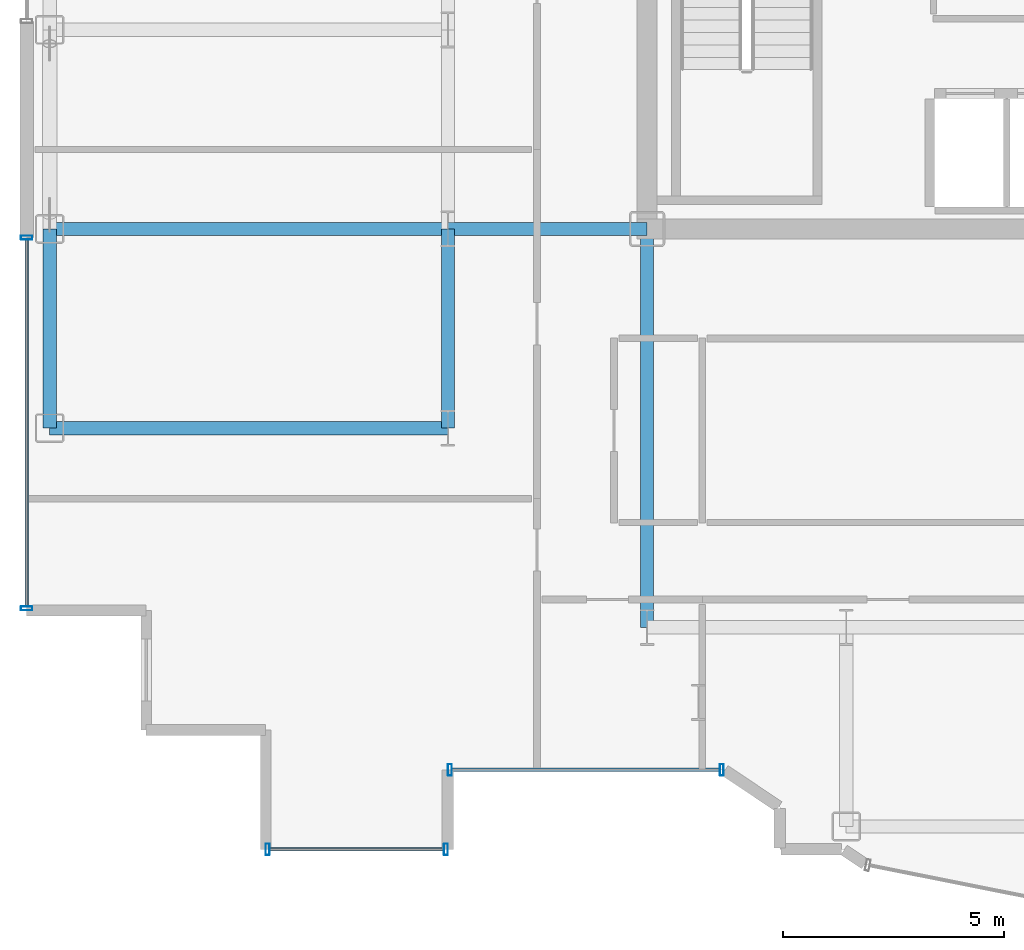
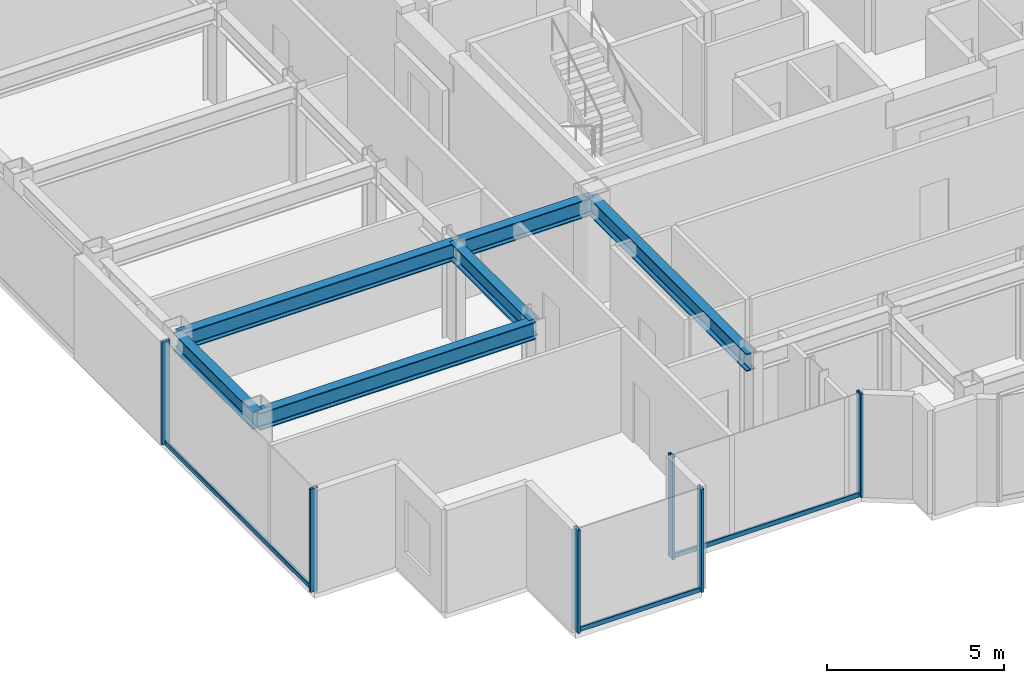
# One storey, part 2 of 21: 9 members, 6 beams, 3 elements without a shape of their own.
"""IFC4 building model written with IfcOpenShell, lengths in metres."""

from ifc_helpers import new_model, si_unit, direction, frame, origin, origin_2d, place, context, subcontext, project, spatial, hollow_rectangle, i_section, extrude, source, transform, mapped, material, layer, layer_set, material_profile, profile_set, type_object, element, aggregate, save


model = new_model("IFC4")

# Units and contexts
model_context = context("Model", 3, precision=1e-05, world=origin(), true_north=direction((0.0, 1.0)))
body_context = subcontext(model_context, "Body", "Model", "MODEL_VIEW")
ifc_project = project(units=[si_unit("LENGTHUNIT", "METRE"), si_unit("AREAUNIT", "SQUARE_METRE"), si_unit("VOLUMEUNIT", "CUBIC_METRE"), si_unit("PLANEANGLEUNIT", "RADIAN"), si_unit("MASSUNIT", "GRAM", prefix="KILO")], contexts=[model_context])

# Site, building, storey
site_placement = place(None, origin())
site = spatial("IfcSite", under=ifc_project, at=site_placement, CompositionType="ELEMENT")
building_placement = place(site_placement, origin())
building = spatial("IfcBuilding", under=site, at=building_placement, Name="Nefas-Gora Pilgrimage Tower", CompositionType="ELEMENT")
storey_placement = place(building_placement, frame((0.0, 0.0, 252.199951171875)))
storey = spatial("IfcBuildingStorey", under=building, at=storey_placement, Name="L63", CompositionType="ELEMENT", Elevation=252.199951171875)

# Beams
ifc_material_1 = material(Name="Steel S355", Category="steel")
ifc_material_profile_1 = material_profile(ifc_material_1, i_section(OverallWidth=0.300048828125, OverallDepth=0.60009765625, WebThickness=0.015380859375, FlangeThickness=0.030029296875, FilletRadius=0.027099609375, at=origin_2d()), Name="HEB 600")
ifc_profile_set_1 = profile_set([ifc_material_profile_1], Name="Steel S355")
beam_type_1 = type_object("IfcBeamType", Name="BM-SPN-HEB450", PredefinedType="SPANDREL", material=ifc_profile_set_1)
shared_shape_1 = source(origin(), body_context, "Body", "SweptSolid", [
    extrude(i_section(OverallWidth=0.300048828125, OverallDepth=0.60009765625, WebThickness=0.015380859375, FlangeThickness=0.030029296875, FilletRadius=0.027099609375, at=origin_2d()), origin(), (0.0, 0.0, 1.0), 4.5),
])
beam_placement = place(storey_placement, frame((-24.75, -13.5, 3.25), z_axis=(0.0, 1.0, 0.0), x_axis=(-1.0, 0.0, 0.0)))
element("IfcBeam", 1, at=beam_placement, inside=storey, type_object=beam_type_1, Name="L63 SP-03 beam", PredefinedType="SPANDREL", context=body_context, shape_type="MappedRepresentation", body=[
    mapped(shared_shape_1, transform((0.0, 0.0, 0.0), x_axis=(1.0, 0.0, 0.0), y_axis=(0.0, 1.0, 0.0), z_axis=(0.0, 0.0, 1.0), scale=1.0)),
])
ifc_material_profile_2 = material_profile(ifc_material_1, i_section(OverallWidth=0.300048828125, OverallDepth=0.60009765625, WebThickness=0.015380859375, FlangeThickness=0.030029296875, FilletRadius=0.027099609375, at=origin_2d()), Name="HEB 600")
ifc_profile_set_2 = profile_set([ifc_material_profile_2], Name="Steel S355")
beam_type_2 = type_object("IfcBeamType", Name="BM-GIR-HEB600", PredefinedType="BEAM", material=ifc_profile_set_2)
shared_shape_2 = source(origin(), body_context, "Body", "SweptSolid", [
    extrude(i_section(OverallWidth=0.300048828125, OverallDepth=0.60009765625, WebThickness=0.015380859375, FlangeThickness=0.030029296875, FilletRadius=0.027099609375, at=origin_2d()), origin(), (0.0, 0.0, 1.0), 9.0),
])
for number, where, z_axis, x_axis, name in (
    (2, (-24.75, -13.5, 3.25), (1.0, 0.0, 0.0), (0.0, 1.0, 0.0), "L63 G-04 beam"),
    (3, (-24.75, -9.0, 3.25), (1.0, 0.0, 0.0), (0.0, 1.0, 0.0), "L63 G-04 beam"),
    (4, (-11.25, -18.0, 3.25), (0.0, 1.0, 0.0), (-1.0, 0.0, 0.0), "L63 G-04 beam"),
):
    element("IfcBeam", number, at=place(storey_placement, frame(where, z_axis=z_axis, x_axis=x_axis)), inside=storey, type_object=beam_type_2, Name=name, PredefinedType="BEAM", context=body_context, shape_type="MappedRepresentation", body=[
        mapped(shared_shape_2, transform((0.0, 0.0, 0.0), x_axis=(1.0, 0.0, 0.0), y_axis=(0.0, 1.0, 0.0), z_axis=(0.0, 0.0, 1.0), scale=1.0)),
    ])
shared_shape_3 = source(origin(), body_context, "Body", "SweptSolid", [
    extrude(i_section(OverallWidth=0.300048828125, OverallDepth=0.60009765625, WebThickness=0.015380859375, FlangeThickness=0.030029296875, FilletRadius=0.027099609375, at=origin_2d()), origin(), (0.0, 0.0, 1.0), 4.5),
])
for number, where, z_axis, x_axis, name in (
    (5, (-15.75, -13.5, 3.25), (0.0, 1.0, 0.0), (-1.0, 0.0, 0.0), "L63 G-04 beam"),
    (6, (-15.75, -9.0, 3.25), (1.0, 0.0, 0.0), (0.0, 1.0, 0.0), "L63 G-04 beam"),
):
    element("IfcBeam", number, at=place(storey_placement, frame(where, z_axis=z_axis, x_axis=x_axis)), inside=storey, type_object=beam_type_2, Name=name, PredefinedType="BEAM", context=body_context, shape_type="MappedRepresentation", body=[
        mapped(shared_shape_3, transform((0.0, 0.0, 0.0), x_axis=(1.0, 0.0, 0.0), y_axis=(0.0, 1.0, 0.0), z_axis=(0.0, 0.0, 1.0), scale=1.0)),
    ])

# Curtain wall, members
ifc_material_2 = material(Name="Dark ceramic-fritted solar-control aluminium-glass curtain wall", Category="aluminium")
ifc_layer_1 = layer(ifc_material_2, 0.219970703125)
ifc_layer_set_1 = layer_set([ifc_layer_1], Name="Dark ceramic-fritted solar-control aluminium-glass curtain wall")
curtain_wall_type_1 = type_object("IfcCurtainWallType", Name="CW-SYS-5", PredefinedType="NOTDEFINED", material=ifc_layer_set_1)
curtain_wall_1_placement = place(storey_placement, origin())
curtain_wall_1 = element("IfcCurtainWall", 7, at=curtain_wall_1_placement, inside=storey, type_object=curtain_wall_type_1, Name="L63 Unitised Curtain Wall CW5", PredefinedType="NOTDEFINED")
ifc_material_3 = material(Name="Anodised architectural aluminium", Category="aluminium")
ifc_material_profile_3 = material_profile(ifc_material_3, hollow_rectangle(XDim=0.090087890625, YDim=0.260009765625, WallThickness=0.006103515625, InnerFilletRadius=0.006103515625, OuterFilletRadius=0.011962890625, at=origin_2d()), Name="ALU MULLION 90x260")
ifc_profile_set_3 = profile_set([ifc_material_profile_3], Name="Anodised architectural aluminium")
member_type_1 = type_object("IfcMemberType", Name="CWM-MUL-5", PredefinedType="MULLION", material=ifc_profile_set_3)
shared_shape_4 = source(origin(), body_context, "Body", "SweptSolid", [
    extrude(hollow_rectangle(XDim=0.090087890625, YDim=0.260009765625, WallThickness=0.006103515625, InnerFilletRadius=0.006103515625, OuterFilletRadius=0.011962890625, at=origin_2d()), origin(), (0.0, 0.0, 1.0), 3.550048828125),
])
member_1_placement = place(storey_placement, frame((-15.705078125, -21.219970703125, 0.0), z_axis=(0.0, 0.0, 1.0), x_axis=(1.0, 0.0, 0.0)))
member_1 = element("IfcMember", 8, at=member_1_placement, type_object=member_type_1, Name="CW5 Mullion 1", PredefinedType="MULLION", context=body_context, shape_type="MappedRepresentation", body=[
    mapped(shared_shape_4, transform((0.0, 0.0, 0.0), x_axis=(1.0, 0.0, 0.0), y_axis=(0.0, 1.0, 0.0), z_axis=(0.0, 0.0, 1.0), scale=1.0)),
])
member_2_placement = place(storey_placement, frame((-9.56298828125, -21.219970703125, 0.0), z_axis=(0.0, 0.0, 1.0), x_axis=(1.0, 0.0, 0.0)))
member_2 = element("IfcMember", 9, at=member_2_placement, type_object=member_type_1, Name="CW5 Mullion 2", PredefinedType="MULLION", context=body_context, shape_type="MappedRepresentation", body=[
    mapped(shared_shape_4, transform((0.0, 0.0, 0.0), x_axis=(1.0, 0.0, 0.0), y_axis=(0.0, 1.0, 0.0), z_axis=(0.0, 0.0, 1.0), scale=1.0)),
])
ifc_material_profile_4 = material_profile(ifc_material_3, hollow_rectangle(XDim=0.080078125, YDim=0.159912109375, WallThickness=0.00439453125, InnerFilletRadius=0.00439453125, OuterFilletRadius=0.009033203125, at=origin_2d()), Name="ALU TRANSOM 80x160")
ifc_profile_set_4 = profile_set([ifc_material_profile_4], Name="Anodised architectural aluminium")
member_type_2 = type_object("IfcMemberType", Name="CWM-TRN-5", PredefinedType="USERDEFINED", material=ifc_profile_set_4)
shared_shape_5 = source(origin(), body_context, "Body", "SweptSolid", [
    extrude(hollow_rectangle(XDim=0.080078125, YDim=0.159912109375, WallThickness=0.00439453125, InnerFilletRadius=0.00439453125, OuterFilletRadius=0.009033203125, at=origin_2d()), origin(), (0.0, 0.0, 1.0), 6.052001953125),
])
member_3_placement = place(storey_placement, frame((-15.659912109375, -21.219970703125, 0.050048828125), z_axis=(1.0, 0.0, 0.0), x_axis=(0.0, 1.0, 0.0)))
member_3 = element("IfcMember", 10, at=member_3_placement, type_object=member_type_2, Name="CW5 Spandrel Transom", ObjectType="TRANSOM", PredefinedType="USERDEFINED", context=body_context, shape_type="MappedRepresentation", body=[
    mapped(shared_shape_5, transform((0.0, 0.0, 0.0), x_axis=(1.0, 0.0, 0.0), y_axis=(0.0, 1.0, 0.0), z_axis=(0.0, 0.0, 1.0), scale=1.0)),
])
aggregate(curtain_wall_1, [member_1, member_2, member_3])

ifc_layer_2 = layer(ifc_material_2, 0.219970703125)
ifc_layer_set_2 = layer_set([ifc_layer_2], Name="Dark ceramic-fritted solar-control aluminium-glass curtain wall")
curtain_wall_type_2 = type_object("IfcCurtainWallType", Name="CW-SYS-3", PredefinedType="NOTDEFINED", material=ifc_layer_set_2)
curtain_wall_2_placement = place(storey_placement, origin())
curtain_wall_2 = element("IfcCurtainWall", 11, at=curtain_wall_2_placement, inside=storey, type_object=curtain_wall_type_2, Name="L63 Unitised Curtain Wall CW3", PredefinedType="NOTDEFINED")
ifc_material_profile_5 = material_profile(ifc_material_3, hollow_rectangle(XDim=0.090087890625, YDim=0.260009765625, WallThickness=0.006103515625, InnerFilletRadius=0.006103515625, OuterFilletRadius=0.011962890625, at=origin_2d()), Name="ALU MULLION 90x260")
ifc_profile_set_5 = profile_set([ifc_material_profile_5], Name="Anodised architectural aluminium")
member_type_3 = type_object("IfcMemberType", Name="CWM-MUL-3", PredefinedType="MULLION", material=ifc_profile_set_5)
shared_shape_6 = source(origin(), body_context, "Body", "SweptSolid", [
    extrude(hollow_rectangle(XDim=0.090087890625, YDim=0.260009765625, WallThickness=0.006103515625, InnerFilletRadius=0.006103515625, OuterFilletRadius=0.011962890625, at=origin_2d()), origin(), (0.0, 0.0, 1.0), 3.550048828125),
])
member_4_placement = place(storey_placement, frame((-25.27001953125, -9.195068359375, 0.0), z_axis=(0.0, 0.0, 1.0), x_axis=(0.0, -1.0, 0.0)))
member_4 = element("IfcMember", 12, at=member_4_placement, type_object=member_type_3, Name="CW3 Mullion 1", PredefinedType="MULLION", context=body_context, shape_type="MappedRepresentation", body=[
    mapped(shared_shape_6, transform((0.0, 0.0, 0.0), x_axis=(1.0, 0.0, 0.0), y_axis=(0.0, 1.0, 0.0), z_axis=(0.0, 0.0, 1.0), scale=1.0)),
])
member_5_placement = place(storey_placement, frame((-25.27001953125, -17.574951171875, 0.0), z_axis=(0.0, 0.0, 1.0), x_axis=(0.0, -1.0, 0.0)))
member_5 = element("IfcMember", 13, at=member_5_placement, type_object=member_type_3, Name="CW3 Mullion 2", PredefinedType="MULLION", context=body_context, shape_type="MappedRepresentation", body=[
    mapped(shared_shape_6, transform((0.0, 0.0, 0.0), x_axis=(1.0, 0.0, 0.0), y_axis=(0.0, 1.0, 0.0), z_axis=(0.0, 0.0, 1.0), scale=1.0)),
])

curtain_wall_3_placement = place(storey_placement, origin())
curtain_wall_3 = element("IfcCurtainWall", 14, at=curtain_wall_3_placement, inside=storey, type_object=curtain_wall_type_2, Name="L63 Unitised Curtain Wall CW3", PredefinedType="NOTDEFINED")
member_6_placement = place(storey_placement, frame((-19.824951171875, -23.02001953125, 0.0), z_axis=(0.0, 0.0, 1.0), x_axis=(1.0, 0.0, 0.0)))
member_6 = element("IfcMember", 15, at=member_6_placement, type_object=member_type_3, Name="CW3 Mullion 1", PredefinedType="MULLION", context=body_context, shape_type="MappedRepresentation", body=[
    mapped(shared_shape_6, transform((0.0, 0.0, 0.0), x_axis=(1.0, 0.0, 0.0), y_axis=(0.0, 1.0, 0.0), z_axis=(0.0, 0.0, 1.0), scale=1.0)),
])
member_7_placement = place(storey_placement, frame((-15.794921875, -23.02001953125, 0.0), z_axis=(0.0, 0.0, 1.0), x_axis=(1.0, 0.0, 0.0)))
member_7 = element("IfcMember", 16, at=member_7_placement, type_object=member_type_3, Name="CW3 Mullion 2", PredefinedType="MULLION", context=body_context, shape_type="MappedRepresentation", body=[
    mapped(shared_shape_6, transform((0.0, 0.0, 0.0), x_axis=(1.0, 0.0, 0.0), y_axis=(0.0, 1.0, 0.0), z_axis=(0.0, 0.0, 1.0), scale=1.0)),
])

# Member
ifc_material_profile_6 = material_profile(ifc_material_3, hollow_rectangle(XDim=0.080078125, YDim=0.159912109375, WallThickness=0.00439453125, InnerFilletRadius=0.00439453125, OuterFilletRadius=0.009033203125, at=origin_2d()), Name="ALU TRANSOM 80x160")
ifc_profile_set_6 = profile_set([ifc_material_profile_6], Name="Anodised architectural aluminium")
member_type_4 = type_object("IfcMemberType", Name="CWM-TRN-3", PredefinedType="USERDEFINED", material=ifc_profile_set_6)
shared_shape_7 = source(origin(), body_context, "Body", "SweptSolid", [
    extrude(hollow_rectangle(XDim=0.080078125, YDim=0.159912109375, WallThickness=0.00439453125, InnerFilletRadius=0.00439453125, OuterFilletRadius=0.009033203125, at=origin_2d()), origin(), (0.0, 0.0, 1.0), 8.2900390625),
])
member_8_placement = place(storey_placement, frame((-25.27001953125, -9.239990234375, 0.050048828125), z_axis=(0.0, -1.0, 0.0), x_axis=(1.0, 0.0, 0.0)))
member_8 = element("IfcMember", 17, at=member_8_placement, type_object=member_type_4, Name="CW3 Spandrel Transom", ObjectType="TRANSOM", PredefinedType="USERDEFINED", context=body_context, shape_type="MappedRepresentation", body=[
    mapped(shared_shape_7, transform((0.0, 0.0, 0.0), x_axis=(1.0, 0.0, 0.0), y_axis=(0.0, 1.0, 0.0), z_axis=(0.0, 0.0, 1.0), scale=1.0)),
])

aggregate(curtain_wall_2, [member_4, member_5, member_8])

shared_shape_8 = source(origin(), body_context, "Body", "SweptSolid", [
    extrude(hollow_rectangle(XDim=0.080078125, YDim=0.159912109375, WallThickness=0.00439453125, InnerFilletRadius=0.00439453125, OuterFilletRadius=0.009033203125, at=origin_2d()), origin(), (0.0, 0.0, 1.0), 3.93994140625),
])
member_9_placement = place(storey_placement, frame((-19.780029296875, -23.02001953125, 0.050048828125), z_axis=(1.0, 0.0, 0.0), x_axis=(0.0, 1.0, 0.0)))
member_9 = element("IfcMember", 18, at=member_9_placement, type_object=member_type_4, Name="CW3 Spandrel Transom", ObjectType="TRANSOM", PredefinedType="USERDEFINED", context=body_context, shape_type="MappedRepresentation", body=[
    mapped(shared_shape_8, transform((0.0, 0.0, 0.0), x_axis=(1.0, 0.0, 0.0), y_axis=(0.0, 1.0, 0.0), z_axis=(0.0, 0.0, 1.0), scale=1.0)),
])

aggregate(curtain_wall_3, [member_6, member_7, member_9])

save(model, "model.ifc")
